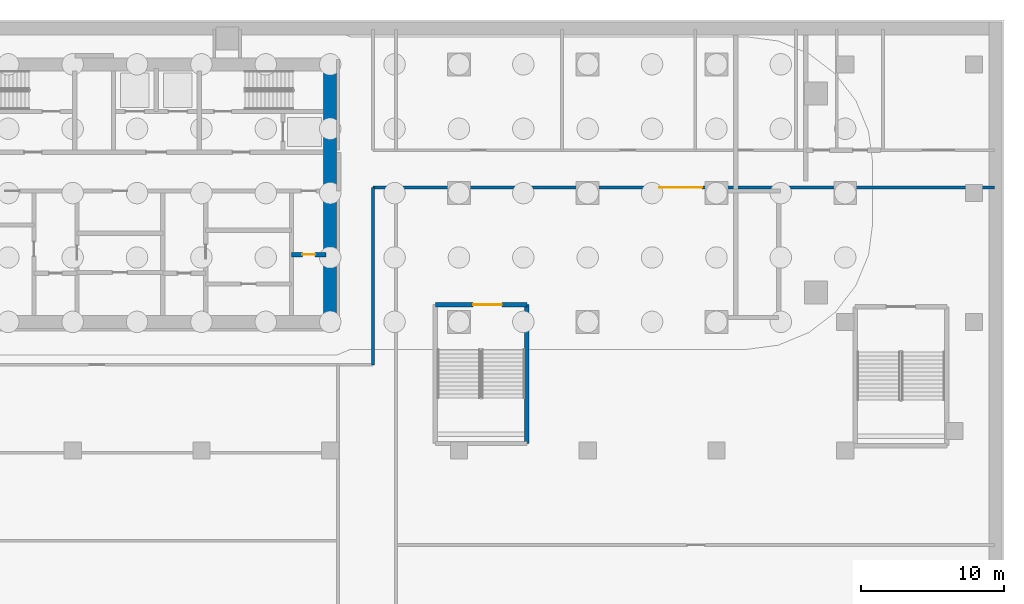
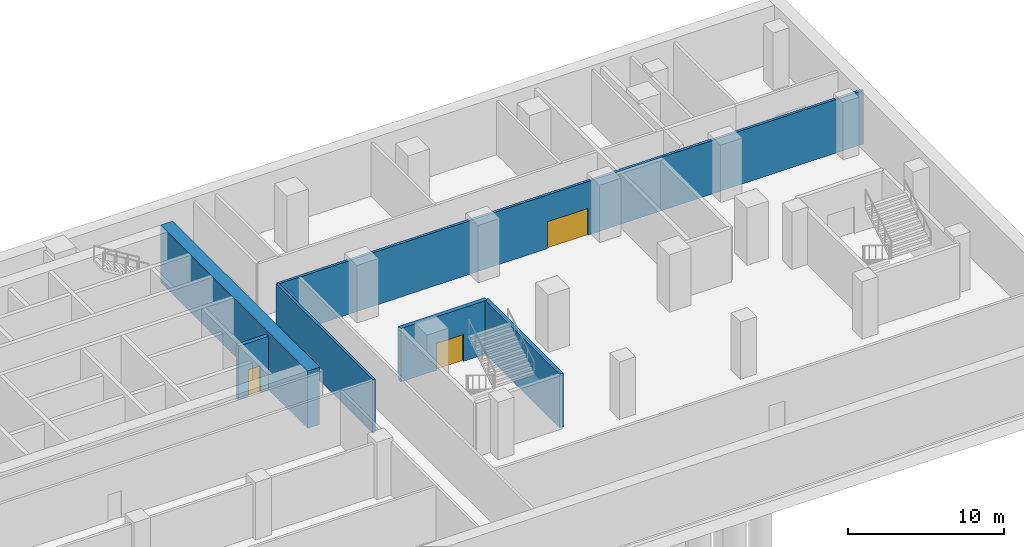
# One storey, part 4 of 13: 6 walls, 3 doors, 3 openings.
"""IFC4 building model written with IfcOpenShell, lengths in metres."""

from ifc_helpers import new_model, si_unit, direction, frame, frame_2d, origin, place, context, subcontext, project, spatial, rectangle, extrude, material, layer, layer_set, type_object, element, fill, save


model = new_model("IFC4")

# Units and contexts
model_context = context("Model", 3, precision=1e-05, world=origin(), true_north=direction((0.0, 1.0)))
body_context = subcontext(model_context, "Body", "Model", "MODEL_VIEW")
ifc_project = project(units=[si_unit("LENGTHUNIT", "METRE"), si_unit("AREAUNIT", "SQUARE_METRE"), si_unit("VOLUMEUNIT", "CUBIC_METRE"), si_unit("PLANEANGLEUNIT", "RADIAN"), si_unit("MASSUNIT", "GRAM", prefix="KILO")], contexts=[model_context])

# Site, building, storey
site_placement = place(None, origin())
site = spatial("IfcSite", under=ifc_project, at=site_placement, CompositionType="ELEMENT")
building_placement = place(site_placement, origin())
building = spatial("IfcBuilding", under=site, at=building_placement, Name="Ogive Portal Towers", CompositionType="ELEMENT")
storey_placement = place(building_placement, frame((0.0, 0.0, -9.0)))
storey = spatial("IfcBuildingStorey", under=building, at=storey_placement, Name="B2", CompositionType="ELEMENT", Elevation=-9.0)

# Walls
ifc_material_1 = material(Name="Concrete C60/75", Category="concrete")
ifc_layer_1 = layer(ifc_material_1, 0.89990234375)
ifc_layer_set_1 = layer_set([ifc_layer_1], Name="CORE WALL 900 C60")
wall_type_1 = type_object("IfcWallType", Name="CORE WALL 900 C60", PredefinedType="SHEAR", material=ifc_layer_set_1)
wall_1_placement = place(storey_placement, frame((58.5, 21.050048828125, 0.0), z_axis=(0.0, 0.0, 1.0), x_axis=(0.0, 1.0, 0.0)))
element("IfcWall", 1, at=wall_1_placement, inside=storey, type_object=wall_type_1, Name="Core wall E B2", PredefinedType="SHEAR", context=body_context, shape_type="SweptSolid", body=[
    extrude(rectangle(XDim=18.89990234375, YDim=0.89990234375, at=frame_2d((9.449951171875, 0.0))), origin(), (0.0, 0.0, 1.0), 4.5),
])
ifc_material_2 = material(Name="Concrete C50/60", Category="concrete")
ifc_layer_2 = layer(ifc_material_2, 0.300048828125)
ifc_layer_set_2 = layer_set([ifc_layer_2], Name="STAIR WALL 300 C50")
wall_type_2 = type_object("IfcWallType", Name="STAIR WALL 300 C50", PredefinedType="SHEAR", material=ifc_layer_set_2)
wall_2_placement = place(storey_placement, frame((72.25, 13.0, 0.0), z_axis=(0.0, 0.0, 1.0), x_axis=(0.0, 1.0, 0.0)))
element("IfcWall", 2, at=wall_2_placement, inside=storey, type_object=wall_type_2, Name="Stair wall ST-S1 B2", PredefinedType="SHEAR", context=body_context, shape_type="SweptSolid", body=[
    extrude(rectangle(XDim=9.699951171875, YDim=0.300048828125, at=frame_2d((4.85009765625, 0.0))), origin(), (0.0, 0.0, 1.0), 4.199951171875),
])

# Wall, opening, door
ifc_material_3 = material(Name="Gypsum board partition on steel studs", Category="steel")
ifc_layer_3 = layer(ifc_material_3, 0.199951171875)
ifc_layer_set_3 = layer_set([ifc_layer_3], Name="WT-PART-200-EI 60")
wall_type_3 = type_object("IfcWallType", Name="WT-PART-200-EI 60", PredefinedType="PARTITIONING", material=ifc_layer_set_3)
wall_3_placement = place(storey_placement, frame((61.5, 30.89990234375, 0.0), z_axis=(0.0, 0.0, 1.0), x_axis=(1.0, 0.0, 0.0)))
wall_3 = element("IfcWall", 3, at=wall_3_placement, inside=storey, type_object=wall_type_3, Name="Wall B2:w010", PredefinedType="PARTITIONING", context=body_context, shape_type="SweptSolid", body=[
    extrude(rectangle(XDim=43.429931640625, YDim=0.199951171875, at=frame_2d((21.71484375, 0.0))), origin(), (0.0, 0.0, 1.0), 4.199951171875),
])
opening_1_placement = place(wall_3_placement, frame((20.0, 0.0, 0.0)))
opening_1 = element("IfcOpeningElement", 4, at=opening_1_placement, cuts=wall_3, Name="Opening PB2-004", PredefinedType="OPENING", context=body_context, shape_type="SweptSolid", body=[
    extrude(rectangle(XDim=3.0, YDim=2.10009765625, at=frame_2d((1.5, 1.050048828125))), frame((0.0, 0.10986328125, 0.0), z_axis=(0.0, -1.0, 0.0), x_axis=(1.0, 0.0, 0.0)), (0.0, 0.0, 1.0), 0.219970703125),
])
ifc_material_4 = material(Name="Steel fire door", Category="steel")
door_type_1 = type_object("IfcDoorType", Name="DT-SWING-3000x2100-FD60S", OperationType="SINGLE_SWING_LEFT", PredefinedType="DOOR", material=ifc_material_4)
door_1_placement = place(opening_1_placement, origin())
door_1 = element("IfcDoor", 5, at=door_1_placement, inside=storey, type_object=door_type_1, Name="Door PB2-004", OperationType="SINGLE_SWING_RIGHT", OverallHeight=2.10009765625, OverallWidth=3.0, PredefinedType="DOOR", context=body_context, shape_type="SweptSolid", body=[
    extrude(rectangle(XDim=3.0, YDim=2.10009765625, at=frame_2d((1.5, 1.050048828125))), frame((0.0, 0.02490234375, 0.0), z_axis=(0.0, -1.0, 0.0), x_axis=(1.0, 0.0, 0.0)), (0.0, 0.0, 1.0), 0.050048828125),
])
fill(opening_1, door_1)

# Wall
wall_4_placement = place(storey_placement, frame((61.5, 18.5, 0.0), z_axis=(0.0, 0.0, 1.0), x_axis=(0.0, 1.0, 0.0)))
element("IfcWall", 6, at=wall_4_placement, inside=storey, type_object=wall_type_3, Name="Wall B2:w028", PredefinedType="PARTITIONING", context=body_context, shape_type="SweptSolid", body=[
    extrude(rectangle(XDim=12.39990234375, YDim=0.199951171875, at=frame_2d((6.199951171875, 0.0))), origin(), (0.0, 0.0, 1.0), 4.199951171875),
])

# Wall, opening, door
ifc_layer_4 = layer(ifc_material_3, 0.300048828125)
ifc_layer_set_4 = layer_set([ifc_layer_4], Name="WT-PART-300")
wall_type_4 = type_object("IfcWallType", Name="WT-PART-300", PredefinedType="PARTITIONING", material=ifc_layer_set_4)
wall_5_placement = place(storey_placement, frame((55.800048828125, 26.199951171875, 0.0), z_axis=(0.0, 0.0, 1.0), x_axis=(1.0, 0.0, 0.0)))
wall_5 = element("IfcWall", 7, at=wall_5_placement, inside=storey, type_object=wall_type_4, Name="Wall pw:005:B2", PredefinedType="PARTITIONING", context=body_context, shape_type="SweptSolid", body=[
    extrude(rectangle(XDim=2.39990234375, YDim=0.300048828125, at=frame_2d((1.199951171875, 0.0))), origin(), (0.0, 0.0, 1.0), 4.199951171875),
])
opening_2_placement = place(wall_5_placement, frame((0.75, 0.0, 0.0)))
opening_2 = element("IfcOpeningElement", 8, at=opening_2_placement, cuts=wall_5, Name="Opening D100-009", PredefinedType="OPENING", context=body_context, shape_type="SweptSolid", body=[
    extrude(rectangle(XDim=0.89990234375, YDim=2.10009765625, at=frame_2d((0.449951171875, 1.050048828125))), frame((0.0, 0.16015625, 0.0), z_axis=(0.0, -1.0, 0.0), x_axis=(1.0, 0.0, 0.0)), (0.0, 0.0, 1.0), 0.320068359375),
])
door_type_2 = type_object("IfcDoorType", Name="DT-SWING-900x2100-FD60S", OperationType="SINGLE_SWING_LEFT", PredefinedType="DOOR", material=ifc_material_4)
door_2_placement = place(opening_2_placement, origin())
door_2 = element("IfcDoor", 9, at=door_2_placement, inside=storey, type_object=door_type_2, Name="Door D100-009", OperationType="SINGLE_SWING_RIGHT", OverallHeight=2.10009765625, OverallWidth=0.89990234375, PredefinedType="DOOR", context=body_context, shape_type="SweptSolid", body=[
    extrude(rectangle(XDim=0.89990234375, YDim=2.10009765625, at=frame_2d((0.449951171875, 1.050048828125))), frame((0.0, 0.02490234375, 0.0), z_axis=(0.0, -1.0, 0.0), x_axis=(1.0, 0.0, 0.0)), (0.0, 0.0, 1.0), 0.050048828125),
])
fill(opening_2, door_2)

ifc_material_5 = material(Name="Concrete C40/50", Category="concrete")
ifc_layer_5 = layer(ifc_material_5, 0.300048828125)
ifc_layer_set_5 = layer_set([ifc_layer_5], Name="WT-SHAFT-300")
wall_type_5 = type_object("IfcWallType", Name="WT-SHAFT-300", PredefinedType="SOLIDWALL", material=ifc_layer_set_5)
wall_6_placement = place(storey_placement, frame((65.85009765625, 22.699951171875, 0.0), z_axis=(0.0, 0.0, 1.0), x_axis=(1.0, 0.0, 0.0)))
wall_6 = element("IfcWall", 10, at=wall_6_placement, inside=storey, type_object=wall_type_5, Name="Wall B2:w008", PredefinedType="SOLIDWALL", context=body_context, shape_type="SweptSolid", body=[
    extrude(rectangle(XDim=6.39990234375, YDim=0.300048828125, at=frame_2d((3.199951171875, 0.0))), origin(), (0.0, 0.0, 1.0), 4.199951171875),
])
opening_3_placement = place(wall_6_placement, frame((2.64990234375, 0.0, 0.0)))
opening_3 = element("IfcOpeningElement", 11, at=opening_3_placement, cuts=wall_6, Name="Opening PB2-001", PredefinedType="OPENING", context=body_context, shape_type="SweptSolid", body=[
    extrude(rectangle(XDim=2.0, YDim=2.10009765625, at=frame_2d((1.0, 1.050048828125))), frame((0.0, 0.16015625, 0.0), z_axis=(0.0, -1.0, 0.0), x_axis=(1.0, 0.0, 0.0)), (0.0, 0.0, 1.0), 0.320068359375),
])
door_type_3 = type_object("IfcDoorType", Name="DT-SWING-2000x2100-FD90S", OperationType="SINGLE_SWING_LEFT", PredefinedType="DOOR", material=ifc_material_4)
door_3_placement = place(opening_3_placement, origin())
door_3 = element("IfcDoor", 12, at=door_3_placement, inside=storey, type_object=door_type_3, Name="Door PB2-001", OperationType="SINGLE_SWING_LEFT", OverallHeight=2.10009765625, OverallWidth=2.0, PredefinedType="DOOR", context=body_context, shape_type="SweptSolid", body=[
    extrude(rectangle(XDim=2.0, YDim=2.10009765625, at=frame_2d((1.0, 1.050048828125))), frame((0.0, 0.02490234375, 0.0), z_axis=(0.0, -1.0, 0.0), x_axis=(1.0, 0.0, 0.0)), (0.0, 0.0, 1.0), 0.050048828125),
])
fill(opening_3, door_3)

save(model, "model.ifc")
